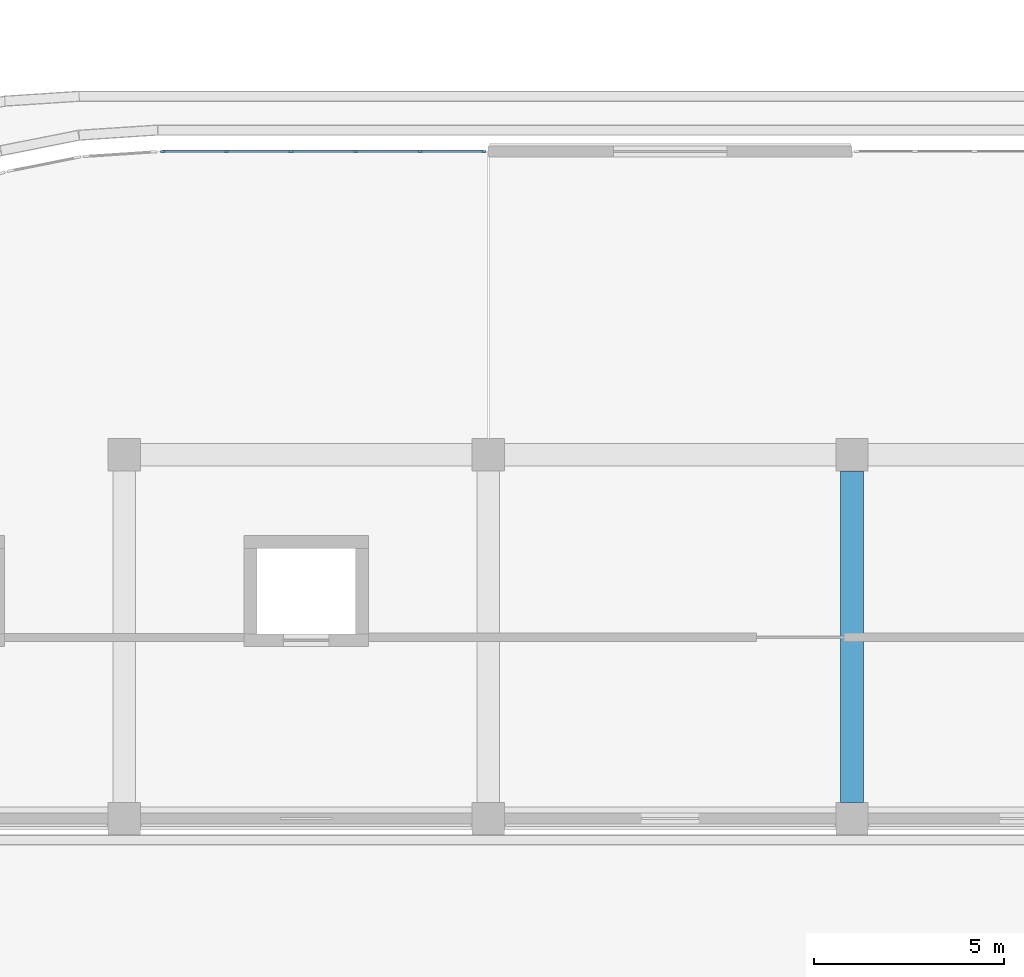
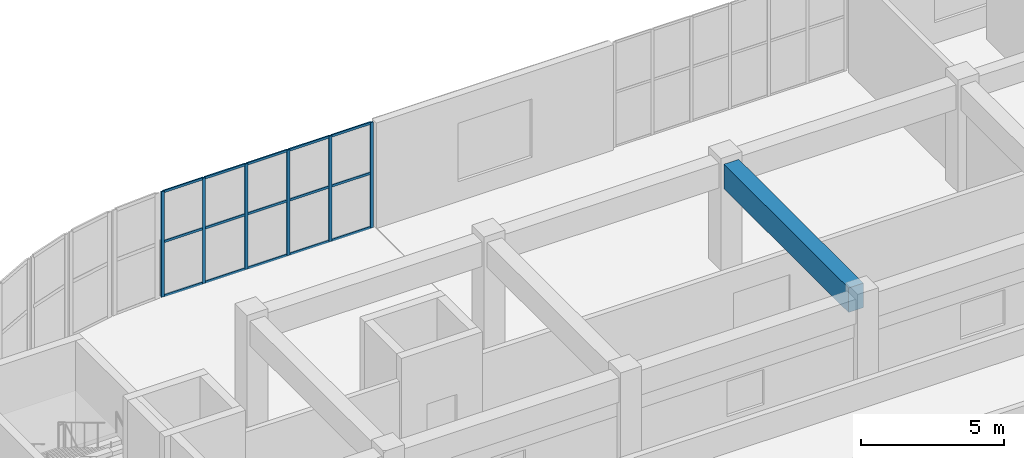
# One storey, part 15 of 67: 21 members, 1 beam, 1 element without a shape of its own.
"""IFC4 building model written with IfcOpenShell, lengths in metres."""

from ifc_helpers import new_model, si_unit, direction, frame, origin, origin_2d, place, context, subcontext, project, spatial, rectangle, extrude, material, layer, layer_set, material_profile, profile_set, type_object, element, aggregate, save


model = new_model("IFC4")

# Units and contexts
model_context = context("Model", 3, precision=1e-05, world=origin(), true_north=direction((0.0, 1.0)))
body_context = subcontext(model_context, "Body", "Model", "MODEL_VIEW")
ifc_project = project(units=[si_unit("LENGTHUNIT", "METRE"), si_unit("AREAUNIT", "SQUARE_METRE"), si_unit("VOLUMEUNIT", "CUBIC_METRE"), si_unit("PLANEANGLEUNIT", "RADIAN"), si_unit("MASSUNIT", "GRAM", prefix="KILO")], contexts=[model_context])

# Site, building, storey
site_placement = place(None, origin())
site = spatial("IfcSite", under=ifc_project, at=site_placement, CompositionType="ELEMENT")
building_placement = place(site_placement, origin())
building = spatial("IfcBuilding", under=site, at=building_placement, Name="Cendralis Terraced Arcade", CompositionType="ELEMENT")
storey_placement = place(building_placement, frame((0.0, 0.0, 15.0)))
storey = spatial("IfcBuildingStorey", under=building, at=storey_placement, Name="L03", CompositionType="ELEMENT", Elevation=15.0)

# Beam
ifc_material_1 = material(Name="Concrete f'c 35 MPa", Category="concrete")
ifc_material_profile_1 = material_profile(ifc_material_1, rectangle(XDim=0.60009765625, YDim=1.050048828125, at=origin_2d()), Name="RC-BM-600x1050", Category="LoadBearing")
ifc_profile_set_1 = profile_set([ifc_material_profile_1], Name="Concrete f'c 35 MPa")
beam_type = type_object("IfcBeamType", Name="BM-600x1050", PredefinedType="JOIST", material=ifc_profile_set_1)
beam_placement = place(storey_placement, frame((38.39990234375, 70.02490234375, 3.9951171875), z_axis=(0.0, 1.0, 0.0), x_axis=(-1.0, 0.0, 0.0)))
element("IfcBeam", 1, at=beam_placement, inside=storey, type_object=beam_type, Name="Reinforced Concrete Frame Beam BM-Y-L04-5-H_J", PredefinedType="JOIST", context=body_context, shape_type="SweptSolid", body=[
    extrude(rectangle(XDim=0.60009765625, YDim=1.050048828125, at=origin_2d()), origin(), (0.0, 0.0, 1.0), 8.75),
])

# Curtain wall, members
ifc_material_2 = material(Name="Anodised aluminium EN AW-6063 T6", Category="aluminium")
ifc_layer = layer(ifc_material_2, 0.1201171875, Name="CW-STORE-B")
ifc_layer_set = layer_set([ifc_layer], Name="Anodised aluminium EN AW-6063 T6")
curtain_wall_type = type_object("IfcCurtainWallType", Name="CW-STORE-B", PredefinedType="USERDEFINED", material=ifc_layer_set)
curtain_wall_placement = place(storey_placement, origin())
curtain_wall = element("IfcCurtainWall", 2, at=curtain_wall_placement, inside=storey, type_object=curtain_wall_type, Name="Exterior Storefront Glazing CW-L03-0310", ObjectType="STOREFRONT GLAZING", PredefinedType="USERDEFINED")
ifc_material_profile_2 = material_profile(ifc_material_2, rectangle(XDim=0.054931640625, YDim=0.1201171875, at=origin_2d()), Name="ALU-MUL-55x120")
ifc_profile_set_2 = profile_set([ifc_material_profile_2], Name="Anodised aluminium EN AW-6063 T6")
member_type_1 = type_object("IfcMemberType", Name="CW-STORE-B-MUL", PredefinedType="MULLION", material=ifc_profile_set_2)
member_1_placement = place(storey_placement, frame((20.217529296875, 87.199951171875, 0.0), z_axis=(0.0, 0.0, 1.0), x_axis=(0.0, 1.0, 0.0)))
member_1 = element("IfcMember", 3, at=member_1_placement, type_object=member_type_1, Name="CW-S2 mullion 1", PredefinedType="MULLION", context=body_context, shape_type="SweptSolid", body=[
    extrude(rectangle(XDim=0.054931640625, YDim=0.1201171875, at=origin_2d()), origin(), (0.0, 0.0, 1.0), 4.52001953125),
])
member_2_placement = place(storey_placement, frame((21.89404296875, 87.199951171875, 0.0), z_axis=(0.0, 0.0, 1.0), x_axis=(0.0, 1.0, 0.0)))
member_2 = element("IfcMember", 4, at=member_2_placement, type_object=member_type_1, Name="CW-S2 mullion 2", PredefinedType="MULLION", context=body_context, shape_type="SweptSolid", body=[
    extrude(rectangle(XDim=0.054931640625, YDim=0.1201171875, at=origin_2d()), origin(), (0.0, 0.0, 1.0), 4.52001953125),
])
member_3_placement = place(storey_placement, frame((23.597900390625, 87.199951171875, 0.0), z_axis=(0.0, 0.0, 1.0), x_axis=(0.0, 1.0, 0.0)))
member_3 = element("IfcMember", 5, at=member_3_placement, type_object=member_type_1, Name="CW-S2 mullion 3", PredefinedType="MULLION", context=body_context, shape_type="SweptSolid", body=[
    extrude(rectangle(XDim=0.054931640625, YDim=0.1201171875, at=origin_2d()), origin(), (0.0, 0.0, 1.0), 4.52001953125),
])
member_4_placement = place(storey_placement, frame((25.302001953125, 87.199951171875, 0.0), z_axis=(0.0, 0.0, 1.0), x_axis=(0.0, 1.0, 0.0)))
member_4 = element("IfcMember", 6, at=member_4_placement, type_object=member_type_1, Name="CW-S2 mullion 4", PredefinedType="MULLION", context=body_context, shape_type="SweptSolid", body=[
    extrude(rectangle(XDim=0.054931640625, YDim=0.1201171875, at=origin_2d()), origin(), (0.0, 0.0, 1.0), 4.52001953125),
])
member_5_placement = place(storey_placement, frame((27.006103515625, 87.199951171875, 0.0), z_axis=(0.0, 0.0, 1.0), x_axis=(0.0, 1.0, 0.0)))
member_5 = element("IfcMember", 7, at=member_5_placement, type_object=member_type_1, Name="CW-S2 mullion 5", PredefinedType="MULLION", context=body_context, shape_type="SweptSolid", body=[
    extrude(rectangle(XDim=0.054931640625, YDim=0.1201171875, at=origin_2d()), origin(), (0.0, 0.0, 1.0), 4.52001953125),
])
member_6_placement = place(storey_placement, frame((28.6826171875, 87.199951171875, 0.0), z_axis=(0.0, 0.0, 1.0), x_axis=(0.0, 1.0, 0.0)))
member_6 = element("IfcMember", 8, at=member_6_placement, type_object=member_type_1, Name="CW-S2 mullion 6", PredefinedType="MULLION", context=body_context, shape_type="SweptSolid", body=[
    extrude(rectangle(XDim=0.054931640625, YDim=0.1201171875, at=origin_2d()), origin(), (0.0, 0.0, 1.0), 4.52001953125),
])
ifc_material_profile_3 = material_profile(ifc_material_2, rectangle(XDim=0.054931640625, YDim=0.10009765625, at=origin_2d()), Name="ALU-TRN-55x100")
ifc_profile_set_3 = profile_set([ifc_material_profile_3], Name="Anodised aluminium EN AW-6063 T6")
member_type_2 = type_object("IfcMemberType", Name="CW-STORE-B-TRN", PredefinedType="USERDEFINED", material=ifc_profile_set_3)
member_7_placement = place(storey_placement, frame((20.2451171875, 87.199951171875, 0.027587890625), z_axis=(1.0, 0.0, 0.0), x_axis=(0.0, 1.0, 0.0)))
member_7 = element("IfcMember", 9, at=member_7_placement, type_object=member_type_2, Name="CW-S2 transom 1.1", ObjectType="TRANSOM", PredefinedType="USERDEFINED", context=body_context, shape_type="SweptSolid", body=[
    extrude(rectangle(XDim=0.054931640625, YDim=0.10009765625, at=origin_2d()), origin(), (0.0, 0.0, 1.0), 1.621337890625),
])
member_8_placement = place(storey_placement, frame((20.2451171875, 87.199951171875, 2.350341796875), z_axis=(1.0, 0.0, 0.0), x_axis=(0.0, 1.0, 0.0)))
member_8 = element("IfcMember", 10, at=member_8_placement, type_object=member_type_2, Name="CW-S2 transom 1.2", ObjectType="TRANSOM", PredefinedType="USERDEFINED", context=body_context, shape_type="SweptSolid", body=[
    extrude(rectangle(XDim=0.054931640625, YDim=0.10009765625, at=origin_2d()), origin(), (0.0, 0.0, 1.0), 1.621337890625),
])
member_9_placement = place(storey_placement, frame((20.2451171875, 87.199951171875, 4.492431640625), z_axis=(1.0, 0.0, 0.0), x_axis=(0.0, 1.0, 0.0)))
member_9 = element("IfcMember", 11, at=member_9_placement, type_object=member_type_2, Name="CW-S2 transom 1.3", ObjectType="TRANSOM", PredefinedType="USERDEFINED", context=body_context, shape_type="SweptSolid", body=[
    extrude(rectangle(XDim=0.054931640625, YDim=0.10009765625, at=origin_2d()), origin(), (0.0, 0.0, 1.0), 1.621337890625),
])
member_10_placement = place(storey_placement, frame((21.92138671875, 87.199951171875, 0.027587890625), z_axis=(1.0, 0.0, 0.0), x_axis=(0.0, 1.0, 0.0)))
member_10 = element("IfcMember", 12, at=member_10_placement, type_object=member_type_2, Name="CW-S2 transom 2.1", ObjectType="TRANSOM", PredefinedType="USERDEFINED", context=body_context, shape_type="SweptSolid", body=[
    extrude(rectangle(XDim=0.054931640625, YDim=0.10009765625, at=origin_2d()), origin(), (0.0, 0.0, 1.0), 1.649169921875),
])
member_11_placement = place(storey_placement, frame((21.92138671875, 87.199951171875, 2.350341796875), z_axis=(1.0, 0.0, 0.0), x_axis=(0.0, 1.0, 0.0)))
member_11 = element("IfcMember", 13, at=member_11_placement, type_object=member_type_2, Name="CW-S2 transom 2.2", ObjectType="TRANSOM", PredefinedType="USERDEFINED", context=body_context, shape_type="SweptSolid", body=[
    extrude(rectangle(XDim=0.054931640625, YDim=0.10009765625, at=origin_2d()), origin(), (0.0, 0.0, 1.0), 1.649169921875),
])
member_12_placement = place(storey_placement, frame((21.92138671875, 87.199951171875, 4.492431640625), z_axis=(1.0, 0.0, 0.0), x_axis=(0.0, 1.0, 0.0)))
member_12 = element("IfcMember", 14, at=member_12_placement, type_object=member_type_2, Name="CW-S2 transom 2.3", ObjectType="TRANSOM", PredefinedType="USERDEFINED", context=body_context, shape_type="SweptSolid", body=[
    extrude(rectangle(XDim=0.054931640625, YDim=0.10009765625, at=origin_2d()), origin(), (0.0, 0.0, 1.0), 1.649169921875),
])
member_13_placement = place(storey_placement, frame((23.62548828125, 87.199951171875, 0.027587890625), z_axis=(1.0, 0.0, 0.0), x_axis=(0.0, 1.0, 0.0)))
member_13 = element("IfcMember", 15, at=member_13_placement, type_object=member_type_2, Name="CW-S2 transom 3.1", ObjectType="TRANSOM", PredefinedType="USERDEFINED", context=body_context, shape_type="SweptSolid", body=[
    extrude(rectangle(XDim=0.054931640625, YDim=0.10009765625, at=origin_2d()), origin(), (0.0, 0.0, 1.0), 1.64892578125),
])
member_14_placement = place(storey_placement, frame((23.62548828125, 87.199951171875, 2.350341796875), z_axis=(1.0, 0.0, 0.0), x_axis=(0.0, 1.0, 0.0)))
member_14 = element("IfcMember", 16, at=member_14_placement, type_object=member_type_2, Name="CW-S2 transom 3.2", ObjectType="TRANSOM", PredefinedType="USERDEFINED", context=body_context, shape_type="SweptSolid", body=[
    extrude(rectangle(XDim=0.054931640625, YDim=0.10009765625, at=origin_2d()), origin(), (0.0, 0.0, 1.0), 1.64892578125),
])
member_15_placement = place(storey_placement, frame((23.62548828125, 87.199951171875, 4.492431640625), z_axis=(1.0, 0.0, 0.0), x_axis=(0.0, 1.0, 0.0)))
member_15 = element("IfcMember", 17, at=member_15_placement, type_object=member_type_2, Name="CW-S2 transom 3.3", ObjectType="TRANSOM", PredefinedType="USERDEFINED", context=body_context, shape_type="SweptSolid", body=[
    extrude(rectangle(XDim=0.054931640625, YDim=0.10009765625, at=origin_2d()), origin(), (0.0, 0.0, 1.0), 1.64892578125),
])
member_16_placement = place(storey_placement, frame((25.32958984375, 87.199951171875, 0.027587890625), z_axis=(1.0, 0.0, 0.0), x_axis=(0.0, 1.0, 0.0)))
member_16 = element("IfcMember", 18, at=member_16_placement, type_object=member_type_2, Name="CW-S2 transom 4.1", ObjectType="TRANSOM", PredefinedType="USERDEFINED", context=body_context, shape_type="SweptSolid", body=[
    extrude(rectangle(XDim=0.054931640625, YDim=0.10009765625, at=origin_2d()), origin(), (0.0, 0.0, 1.0), 1.64892578125),
])
member_17_placement = place(storey_placement, frame((25.32958984375, 87.199951171875, 2.350341796875), z_axis=(1.0, 0.0, 0.0), x_axis=(0.0, 1.0, 0.0)))
member_17 = element("IfcMember", 19, at=member_17_placement, type_object=member_type_2, Name="CW-S2 transom 4.2", ObjectType="TRANSOM", PredefinedType="USERDEFINED", context=body_context, shape_type="SweptSolid", body=[
    extrude(rectangle(XDim=0.054931640625, YDim=0.10009765625, at=origin_2d()), origin(), (0.0, 0.0, 1.0), 1.64892578125),
])
member_18_placement = place(storey_placement, frame((25.32958984375, 87.199951171875, 4.492431640625), z_axis=(1.0, 0.0, 0.0), x_axis=(0.0, 1.0, 0.0)))
member_18 = element("IfcMember", 20, at=member_18_placement, type_object=member_type_2, Name="CW-S2 transom 4.3", ObjectType="TRANSOM", PredefinedType="USERDEFINED", context=body_context, shape_type="SweptSolid", body=[
    extrude(rectangle(XDim=0.054931640625, YDim=0.10009765625, at=origin_2d()), origin(), (0.0, 0.0, 1.0), 1.64892578125),
])
member_19_placement = place(storey_placement, frame((27.033447265625, 87.199951171875, 0.027587890625), z_axis=(1.0, 0.0, 0.0), x_axis=(0.0, 1.0, 0.0)))
member_19 = element("IfcMember", 21, at=member_19_placement, type_object=member_type_2, Name="CW-S2 transom 5.1", ObjectType="TRANSOM", PredefinedType="USERDEFINED", context=body_context, shape_type="SweptSolid", body=[
    extrude(rectangle(XDim=0.054931640625, YDim=0.10009765625, at=origin_2d()), origin(), (0.0, 0.0, 1.0), 1.62158203125),
])
member_20_placement = place(storey_placement, frame((27.033447265625, 87.199951171875, 2.350341796875), z_axis=(1.0, 0.0, 0.0), x_axis=(0.0, 1.0, 0.0)))
member_20 = element("IfcMember", 22, at=member_20_placement, type_object=member_type_2, Name="CW-S2 transom 5.2", ObjectType="TRANSOM", PredefinedType="USERDEFINED", context=body_context, shape_type="SweptSolid", body=[
    extrude(rectangle(XDim=0.054931640625, YDim=0.10009765625, at=origin_2d()), origin(), (0.0, 0.0, 1.0), 1.62158203125),
])
member_21_placement = place(storey_placement, frame((27.033447265625, 87.199951171875, 4.492431640625), z_axis=(1.0, 0.0, 0.0), x_axis=(0.0, 1.0, 0.0)))
member_21 = element("IfcMember", 23, at=member_21_placement, type_object=member_type_2, Name="CW-S2 transom 5.3", ObjectType="TRANSOM", PredefinedType="USERDEFINED", context=body_context, shape_type="SweptSolid", body=[
    extrude(rectangle(XDim=0.054931640625, YDim=0.10009765625, at=origin_2d()), origin(), (0.0, 0.0, 1.0), 1.62158203125),
])
aggregate(curtain_wall, [member_1, member_2, member_3, member_4, member_5, member_6, member_7, member_8, member_9, member_10, member_11, member_12, member_13, member_14, member_15, member_16, member_17, member_18, member_19, member_20, member_21])

save(model, "model.ifc")
